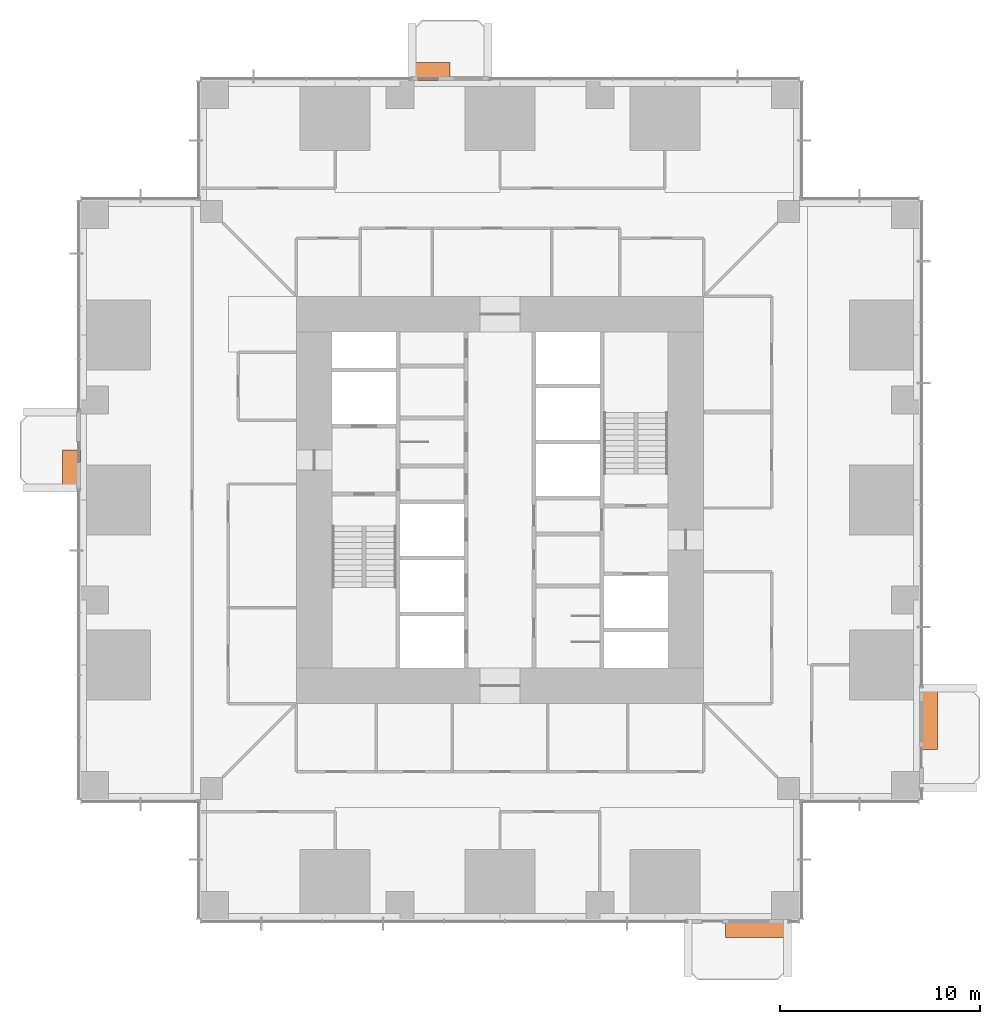
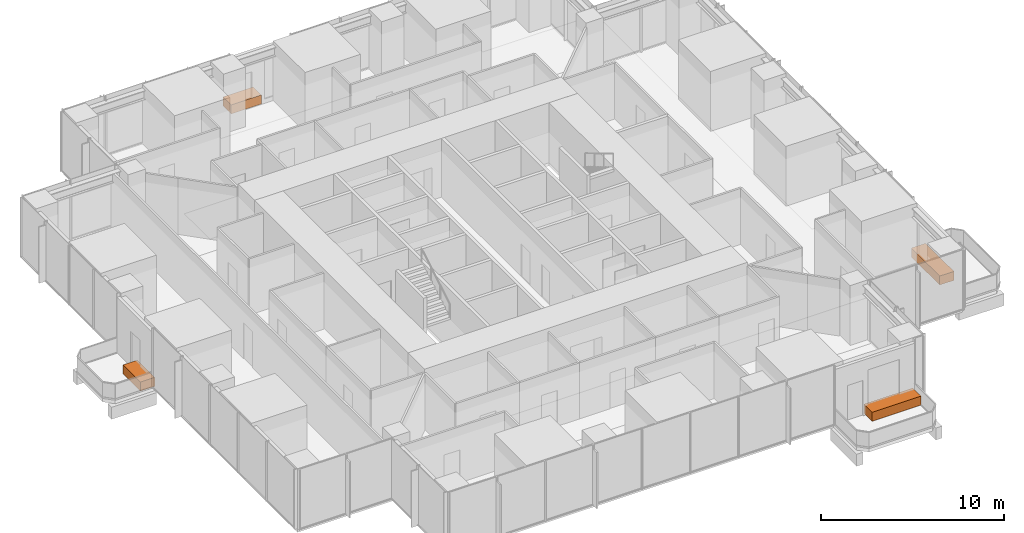
# One storey, part 15 of 15: 4 proxies.
"""IFC4 building model written with IfcOpenShell, lengths in metres."""

from ifc_helpers import new_model, si_unit, direction, frame, origin, origin_2d, place, context, subcontext, project, spatial, rectangle, extrude, element, save


model = new_model("IFC4")

# Units and contexts
model_context = context("Model", 3, precision=1e-05, world=origin(), true_north=direction((0.0, 1.0)))
body_context = subcontext(model_context, "Body", "Model", "MODEL_VIEW")
ifc_project = project(units=[si_unit("LENGTHUNIT", "METRE"), si_unit("AREAUNIT", "SQUARE_METRE"), si_unit("VOLUMEUNIT", "CUBIC_METRE"), si_unit("PLANEANGLEUNIT", "RADIAN"), si_unit("MASSUNIT", "GRAM", prefix="KILO")], contexts=[model_context])

# Site, building, storey
site_placement = place(None, origin())
site = spatial("IfcSite", under=ifc_project, at=site_placement, CompositionType="ELEMENT")
building_placement = place(site_placement, origin())
building = spatial("IfcBuilding", under=site, at=building_placement, Name="Svetlomir Tower", CompositionType="ELEMENT")
storey_placement = place(building_placement, frame((0.0, 0.0, 42.5)))
storey = spatial("IfcBuildingStorey", under=building, at=storey_placement, Name="L09", CompositionType="ELEMENT", Elevation=42.5)

# Proxies
proxy_1_placement = place(storey_placement, frame((33.85009765625, -0.449951171875, 0.0400390625), z_axis=(0.0, 0.0, 1.0), x_axis=(1.0, 0.0, 0.0)))
element("IfcBuildingElementProxy", 1, at=proxy_1_placement, inside=storey, Name="Tree planter S L09", ObjectType="PLANTER", PredefinedType="USERDEFINED", context=body_context, shape_type="SweptSolid", body=[
    extrude(rectangle(XDim=3.10009765625, YDim=0.89990234375, at=origin_2d()), origin(), (0.0, 0.0, 1.0), 0.60009765625),
])
proxy_2_placement = place(storey_placement, frame((42.449951171875, 10.050048828125, 0.0400390625), z_axis=(0.0, 0.0, 1.0), x_axis=(1.0, 0.0, 0.0)))
element("IfcBuildingElementProxy", 2, at=proxy_2_placement, inside=storey, Name="Tree planter E L09", ObjectType="PLANTER", PredefinedType="USERDEFINED", context=body_context, shape_type="SweptSolid", body=[
    extrude(rectangle(XDim=0.89990234375, YDim=3.10009765625, at=origin_2d()), origin(), (0.0, 0.0, 1.0), 0.60009765625),
])
proxy_3_placement = place(storey_placement, frame((17.550048828125, 42.449951171875, 0.0400390625), z_axis=(0.0, 0.0, 1.0), x_axis=(1.0, 0.0, 0.0)))
element("IfcBuildingElementProxy", 3, at=proxy_3_placement, inside=storey, Name="Tree planter N L09", ObjectType="PLANTER", PredefinedType="USERDEFINED", context=body_context, shape_type="SweptSolid", body=[
    extrude(rectangle(XDim=1.89990234375, YDim=0.89990234375, at=origin_2d()), origin(), (0.0, 0.0, 1.0), 0.60009765625),
])
proxy_4_placement = place(storey_placement, frame((-0.449951171875, 22.550048828125, 0.0400390625), z_axis=(0.0, 0.0, 1.0), x_axis=(1.0, 0.0, 0.0)))
element("IfcBuildingElementProxy", 4, at=proxy_4_placement, inside=storey, Name="Tree planter W L09", ObjectType="PLANTER", PredefinedType="USERDEFINED", context=body_context, shape_type="SweptSolid", body=[
    extrude(rectangle(XDim=0.89990234375, YDim=1.89990234375, at=origin_2d()), origin(), (0.0, 0.0, 1.0), 0.60009765625),
])

save(model, "model.ifc")
